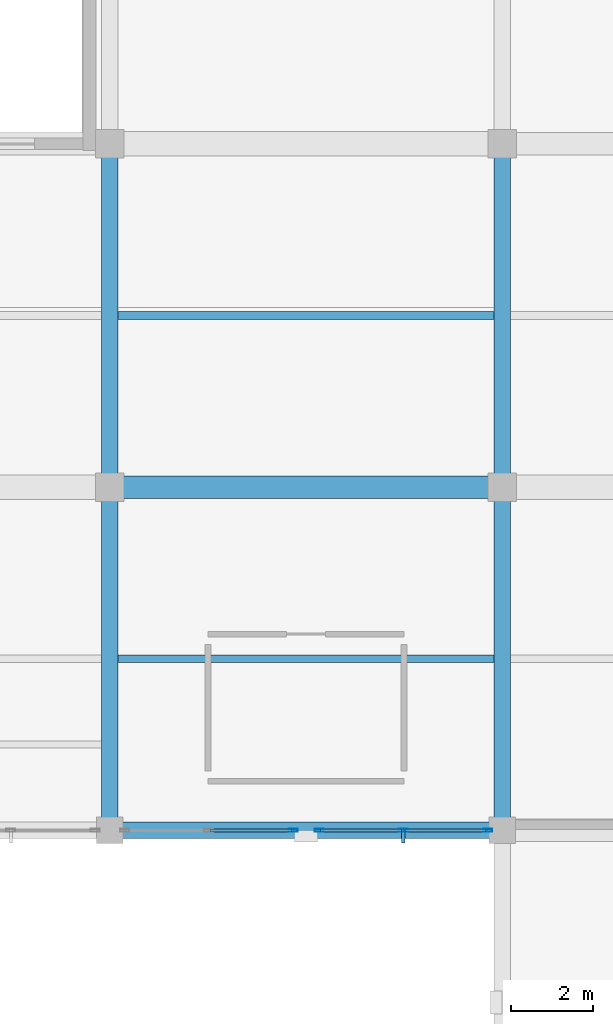
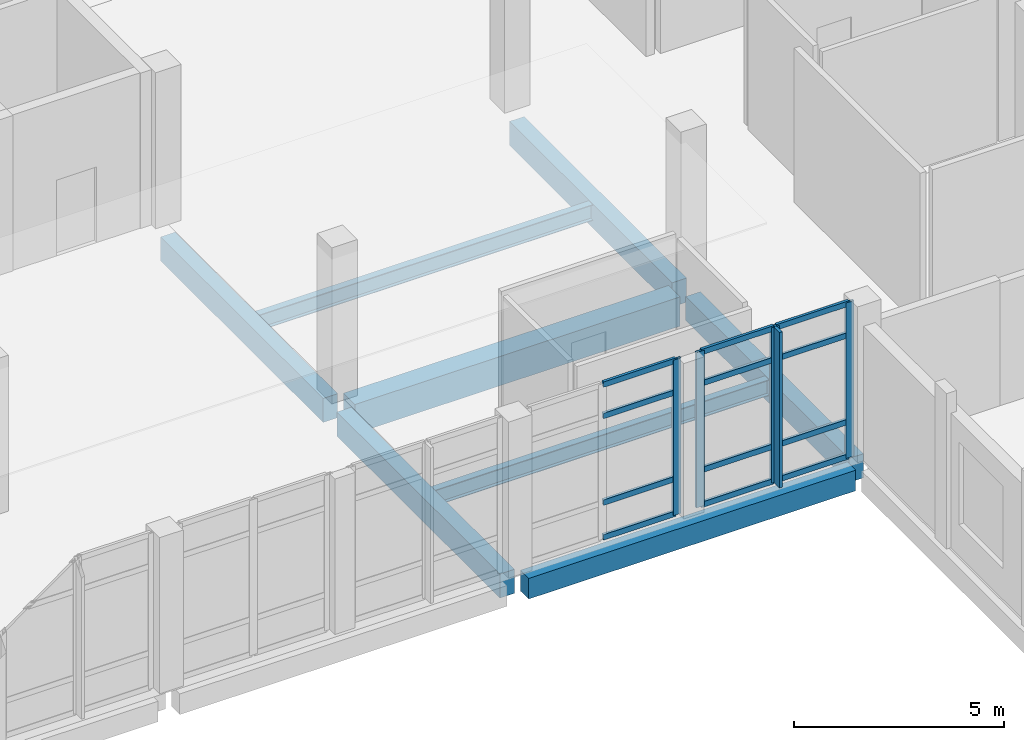
# One storey, part 42 of 102: 17 members, 8 beams, 2 elements without a shape of their own.
"""IFC4 building model written with IfcOpenShell, lengths in metres."""

from ifc_helpers import new_model, si_unit, direction, frame, origin, origin_2d, place, context, subcontext, project, spatial, rectangle, hollow_rectangle, i_section, extrude, material, layer, layer_set, material_profile, profile_set, type_object, element, aggregate, save


model = new_model("IFC4")

# Units and contexts
model_context = context("Model", 3, precision=1e-05, world=origin(), true_north=direction((0.0, 1.0)))
body_context = subcontext(model_context, "Body", "Model", "MODEL_VIEW")
ifc_project = project(units=[si_unit("LENGTHUNIT", "METRE"), si_unit("AREAUNIT", "SQUARE_METRE"), si_unit("VOLUMEUNIT", "CUBIC_METRE"), si_unit("PLANEANGLEUNIT", "RADIAN"), si_unit("MASSUNIT", "GRAM", prefix="KILO")], contexts=[model_context])

# Site, building, storey
site_placement = place(None, origin())
site = spatial("IfcSite", under=ifc_project, at=site_placement, CompositionType="ELEMENT")
building_placement = place(site_placement, origin())
building = spatial("IfcBuilding", under=site, at=building_placement, Name="Lornevale Opera House", CompositionType="ELEMENT")
storey_placement = place(building_placement, frame((0.0, 0.0, 5.39990234375)))
storey = spatial("IfcBuildingStorey", under=building, at=storey_placement, Name="L02", CompositionType="ELEMENT", Elevation=5.39990234375)

# Beams
ifc_material_1 = material(Name="Concrete 35 MPa (CSA A23.1 N)", Category="concrete")
ifc_material_profile_1 = material_profile(ifc_material_1, rectangle(XDim=0.39990234375, YDim=0.699951171875, at=origin_2d()), Name="RC400x700")
ifc_profile_set_1 = profile_set([ifc_material_profile_1], Name="Concrete 35 MPa (CSA A23.1 N)")
beam_type_1 = type_object("IfcBeamType", Name="Concrete Floor Beam 400x700", PredefinedType="USERDEFINED", material=ifc_profile_set_1)
beam_1_placement = place(storey_placement, frame((115.199951171875, 17.10009765625, -0.64990234375), z_axis=(0.0, 1.0, 0.0), x_axis=(-1.0, 0.0, 0.0)))
element("IfcBeam", 1, at=beam_1_placement, inside=storey, type_object=beam_type_1, Name="Concrete Floor Beam 400x700 1928", ObjectType="GIRDER", PredefinedType="USERDEFINED", context=body_context, shape_type="SweptSolid", body=[
    extrude(rectangle(XDim=0.39990234375, YDim=0.699951171875, at=origin_2d()), origin(), (0.0, 0.0, 1.0), 7.77490234375),
])
beam_2_placement = place(storey_placement, frame((115.199951171875, 25.52490234375, -0.64990234375), z_axis=(0.0, 1.0, 0.0), x_axis=(-1.0, 0.0, 0.0)))
element("IfcBeam", 2, at=beam_2_placement, inside=storey, type_object=beam_type_1, Name="Concrete Floor Beam 400x700 1929", ObjectType="GIRDER", PredefinedType="USERDEFINED", context=body_context, shape_type="SweptSolid", body=[
    extrude(rectangle(XDim=0.39990234375, YDim=0.699951171875, at=origin_2d()), origin(), (0.0, 0.0, 1.0), 7.75),
])
beam_3_placement = place(storey_placement, frame((124.800048828125, 17.10009765625, -0.64990234375), z_axis=(0.0, 1.0, 0.0), x_axis=(-1.0, 0.0, 0.0)))
element("IfcBeam", 3, at=beam_3_placement, inside=storey, type_object=beam_type_1, Name="Concrete Floor Beam 400x700 1940", ObjectType="GIRDER", PredefinedType="USERDEFINED", context=body_context, shape_type="SweptSolid", body=[
    extrude(rectangle(XDim=0.39990234375, YDim=0.699951171875, at=origin_2d()), origin(), (0.0, 0.0, 1.0), 7.77490234375),
])
beam_4_placement = place(storey_placement, frame((124.800048828125, 25.52490234375, -0.64990234375), z_axis=(0.0, 1.0, 0.0), x_axis=(-1.0, 0.0, 0.0)))
element("IfcBeam", 4, at=beam_4_placement, inside=storey, type_object=beam_type_1, Name="Concrete Floor Beam 400x700 1941", ObjectType="GIRDER", PredefinedType="USERDEFINED", context=body_context, shape_type="SweptSolid", body=[
    extrude(rectangle(XDim=0.39990234375, YDim=0.699951171875, at=origin_2d()), origin(), (0.0, 0.0, 1.0), 7.75),
])
ifc_material_profile_2 = material_profile(ifc_material_1, rectangle(XDim=0.550048828125, YDim=0.85009765625, at=origin_2d()), Name="RC550x850")
ifc_profile_set_2 = profile_set([ifc_material_profile_2], Name="Concrete 35 MPa (CSA A23.1 N)")
beam_type_2 = type_object("IfcBeamType", Name="Concrete Primary Girder 550x850", PredefinedType="USERDEFINED", material=ifc_profile_set_2)
beam_5_placement = place(storey_placement, frame((115.52490234375, 25.199951171875, -0.724853515625), z_axis=(1.0, 0.0, 0.0), x_axis=(0.0, 1.0, 0.0)))
element("IfcBeam", 5, at=beam_5_placement, inside=storey, type_object=beam_type_2, Name="Concrete Primary Girder 550x850 1704", ObjectType="GIRDER", PredefinedType="USERDEFINED", context=body_context, shape_type="SweptSolid", body=[
    extrude(rectangle(XDim=0.550048828125, YDim=0.85009765625, at=origin_2d()), origin(), (0.0, 0.0, 1.0), 8.9501953125),
])
ifc_material_profile_3 = material_profile(ifc_material_1, rectangle(XDim=0.39990234375, YDim=0.60009765625, at=origin_2d()), Name="RC400x600")
ifc_profile_set_3 = profile_set([ifc_material_profile_3], Name="Concrete 35 MPa (CSA A23.1 N)")
beam_type_3 = type_object("IfcBeamType", Name="Concrete Spandrel Beam 400x600", PredefinedType="SPANDREL", material=ifc_profile_set_3)
beam_6_placement = place(storey_placement, frame((115.5, 16.800048828125, -0.599853515625), z_axis=(1.0, 0.0, 0.0), x_axis=(0.0, 1.0, 0.0)))
element("IfcBeam", 6, at=beam_6_placement, inside=storey, type_object=beam_type_3, Name="Concrete Spandrel Beam 400x600 1690", PredefinedType="SPANDREL", context=body_context, shape_type="SweptSolid", body=[
    extrude(rectangle(XDim=0.39990234375, YDim=0.60009765625, at=origin_2d()), origin(), (0.0, 0.0, 1.0), 9.0),
])

# Curtain wall, members
ifc_material_2 = material(Name="Anodized Oxide-Green Aluminium Framing", Category="aluminium")
ifc_layer = layer(ifc_material_2, 0.219970703125)
ifc_layer_set = layer_set([ifc_layer], Name="Anodized Oxide-Green Aluminium Framing")
curtain_wall_type = type_object("IfcCurtainWallType", Name="Winter-Garden Curtain Wall M1900", PredefinedType="NOTDEFINED", material=ifc_layer_set)
curtain_wall_1_placement = place(storey_placement, origin())
curtain_wall_1 = element("IfcCurtainWall", 7, at=curtain_wall_1_placement, inside=storey, type_object=curtain_wall_type, Name="Winter-Garden Curtain Wall M1900 CW-076", PredefinedType="NOTDEFINED")
ifc_material_profile_4 = material_profile(ifc_material_2, hollow_rectangle(XDim=0.074951171875, YDim=0.219970703125, WallThickness=0.0048828125, at=origin_2d()), Name="ALU75x220x5")
ifc_profile_set_4 = profile_set([ifc_material_profile_4], Name="Anodized Oxide-Green Aluminium Framing")
member_type_1 = type_object("IfcMemberType", Name="Curtain Wall Mullion 75x220", PredefinedType="MULLION", material=ifc_profile_set_4)
member_1_placement = place(storey_placement, frame((124.44140625, 16.800048828125, 0.0), z_axis=(0.0, 0.0, 1.0), x_axis=(0.0, -1.0, 0.0)))
member_1 = element("IfcMember", 8, at=member_1_placement, type_object=member_type_1, Name="Curtain Wall Mullion 75x220 CW1548", PredefinedType="MULLION", context=body_context, shape_type="SweptSolid", body=[
    extrude(hollow_rectangle(XDim=0.074951171875, YDim=0.219970703125, WallThickness=0.0048828125, at=origin_2d()), origin(), (0.0, 0.0, 1.0), 4.52001953125),
])
member_2_placement = place(storey_placement, frame((122.37939453125, 16.800048828125, 0.0), z_axis=(0.0, 0.0, 1.0), x_axis=(0.0, -1.0, 0.0)))
member_2 = element("IfcMember", 9, at=member_2_placement, type_object=member_type_1, Name="Curtain Wall Mullion 75x220 CW1549", PredefinedType="MULLION", context=body_context, shape_type="SweptSolid", body=[
    extrude(hollow_rectangle(XDim=0.074951171875, YDim=0.219970703125, WallThickness=0.0048828125, at=origin_2d()), origin(), (0.0, 0.0, 1.0), 4.52001953125),
])
member_3_placement = place(storey_placement, frame((120.3173828125, 16.800048828125, 0.0), z_axis=(0.0, 0.0, 1.0), x_axis=(0.0, -1.0, 0.0)))
member_3 = element("IfcMember", 10, at=member_3_placement, type_object=member_type_1, Name="Curtain Wall Mullion 75x220 CW1550", PredefinedType="MULLION", context=body_context, shape_type="SweptSolid", body=[
    extrude(hollow_rectangle(XDim=0.074951171875, YDim=0.219970703125, WallThickness=0.0048828125, at=origin_2d()), origin(), (0.0, 0.0, 1.0), 4.52001953125),
])

# Curtain wall, member
curtain_wall_2_placement = place(storey_placement, origin())
curtain_wall_2 = element("IfcCurtainWall", 11, at=curtain_wall_2_placement, inside=storey, type_object=curtain_wall_type, Name="Winter-Garden Curtain Wall M1900 CW-077", PredefinedType="NOTDEFINED")
member_4_placement = place(storey_placement, frame((119.6826171875, 16.800048828125, 0.0), z_axis=(0.0, 0.0, 1.0), x_axis=(0.0, -1.0, 0.0)))
member_4 = element("IfcMember", 12, at=member_4_placement, type_object=member_type_1, Name="Curtain Wall Mullion 75x220 CW1565", PredefinedType="MULLION", context=body_context, shape_type="SweptSolid", body=[
    extrude(hollow_rectangle(XDim=0.074951171875, YDim=0.219970703125, WallThickness=0.0048828125, at=origin_2d()), origin(), (0.0, 0.0, 1.0), 4.52001953125),
])

# Member
ifc_material_profile_5 = material_profile(ifc_material_2, hollow_rectangle(XDim=0.074951171875, YDim=0.159912109375, WallThickness=0.0048828125, at=origin_2d()), Name="ALU75x160x5")
ifc_profile_set_5 = profile_set([ifc_material_profile_5], Name="Anodized Oxide-Green Aluminium Framing")
member_type_2 = type_object("IfcMemberType", Name="Curtain Wall Transom 75x160", PredefinedType="USERDEFINED", material=ifc_profile_set_5)
member_5_placement = place(storey_placement, frame((124.404052734375, 16.800048828125, 0.03759765625), z_axis=(-1.0, 0.0, 0.0), x_axis=(0.0, -1.0, 0.0)))
member_5 = element("IfcMember", 13, at=member_5_placement, type_object=member_type_2, Name="Curtain Wall Transom 75x160 CW1551", ObjectType="TRANSOM", PredefinedType="USERDEFINED", context=body_context, shape_type="SweptSolid", body=[
    extrude(hollow_rectangle(XDim=0.074951171875, YDim=0.159912109375, WallThickness=0.0048828125, at=origin_2d()), origin(), (0.0, 0.0, 1.0), 1.987060546875),
])

member_6_placement = place(storey_placement, frame((124.404052734375, 16.800048828125, 1.050048828125), z_axis=(-1.0, 0.0, 0.0), x_axis=(0.0, -1.0, 0.0)))
member_6 = element("IfcMember", 14, at=member_6_placement, type_object=member_type_2, Name="Curtain Wall Transom 75x160 CW1552", ObjectType="TRANSOM", PredefinedType="USERDEFINED", context=body_context, shape_type="SweptSolid", body=[
    extrude(hollow_rectangle(XDim=0.074951171875, YDim=0.159912109375, WallThickness=0.0048828125, at=origin_2d()), origin(), (0.0, 0.0, 1.0), 1.987060546875),
])

member_7_placement = place(storey_placement, frame((124.404052734375, 16.800048828125, 3.570068359375), z_axis=(-1.0, 0.0, 0.0), x_axis=(0.0, -1.0, 0.0)))
member_7 = element("IfcMember", 15, at=member_7_placement, type_object=member_type_2, Name="Curtain Wall Transom 75x160 CW1553", ObjectType="TRANSOM", PredefinedType="USERDEFINED", context=body_context, shape_type="SweptSolid", body=[
    extrude(hollow_rectangle(XDim=0.074951171875, YDim=0.159912109375, WallThickness=0.0048828125, at=origin_2d()), origin(), (0.0, 0.0, 1.0), 1.987060546875),
])

member_8_placement = place(storey_placement, frame((124.404052734375, 16.800048828125, 4.482666015625), z_axis=(-1.0, 0.0, 0.0), x_axis=(0.0, -1.0, 0.0)))
member_8 = element("IfcMember", 16, at=member_8_placement, type_object=member_type_2, Name="Curtain Wall Transom 75x160 CW1554", ObjectType="TRANSOM", PredefinedType="USERDEFINED", context=body_context, shape_type="SweptSolid", body=[
    extrude(hollow_rectangle(XDim=0.074951171875, YDim=0.159912109375, WallThickness=0.0048828125, at=origin_2d()), origin(), (0.0, 0.0, 1.0), 1.987060546875),
])

member_9_placement = place(storey_placement, frame((122.342041015625, 16.800048828125, 0.03759765625), z_axis=(-1.0, 0.0, 0.0), x_axis=(0.0, -1.0, 0.0)))
member_9 = element("IfcMember", 17, at=member_9_placement, type_object=member_type_2, Name="Curtain Wall Transom 75x160 CW1558", ObjectType="TRANSOM", PredefinedType="USERDEFINED", context=body_context, shape_type="SweptSolid", body=[
    extrude(hollow_rectangle(XDim=0.074951171875, YDim=0.159912109375, WallThickness=0.0048828125, at=origin_2d()), origin(), (0.0, 0.0, 1.0), 1.987060546875),
])

member_10_placement = place(storey_placement, frame((122.342041015625, 16.800048828125, 1.050048828125), z_axis=(-1.0, 0.0, 0.0), x_axis=(0.0, -1.0, 0.0)))
member_10 = element("IfcMember", 18, at=member_10_placement, type_object=member_type_2, Name="Curtain Wall Transom 75x160 CW1559", ObjectType="TRANSOM", PredefinedType="USERDEFINED", context=body_context, shape_type="SweptSolid", body=[
    extrude(hollow_rectangle(XDim=0.074951171875, YDim=0.159912109375, WallThickness=0.0048828125, at=origin_2d()), origin(), (0.0, 0.0, 1.0), 1.987060546875),
])

member_11_placement = place(storey_placement, frame((122.342041015625, 16.800048828125, 3.570068359375), z_axis=(-1.0, 0.0, 0.0), x_axis=(0.0, -1.0, 0.0)))
member_11 = element("IfcMember", 19, at=member_11_placement, type_object=member_type_2, Name="Curtain Wall Transom 75x160 CW1560", ObjectType="TRANSOM", PredefinedType="USERDEFINED", context=body_context, shape_type="SweptSolid", body=[
    extrude(hollow_rectangle(XDim=0.074951171875, YDim=0.159912109375, WallThickness=0.0048828125, at=origin_2d()), origin(), (0.0, 0.0, 1.0), 1.987060546875),
])

member_12_placement = place(storey_placement, frame((122.342041015625, 16.800048828125, 4.482666015625), z_axis=(-1.0, 0.0, 0.0), x_axis=(0.0, -1.0, 0.0)))
member_12 = element("IfcMember", 20, at=member_12_placement, type_object=member_type_2, Name="Curtain Wall Transom 75x160 CW1561", ObjectType="TRANSOM", PredefinedType="USERDEFINED", context=body_context, shape_type="SweptSolid", body=[
    extrude(hollow_rectangle(XDim=0.074951171875, YDim=0.159912109375, WallThickness=0.0048828125, at=origin_2d()), origin(), (0.0, 0.0, 1.0), 1.987060546875),
])

member_13_placement = place(storey_placement, frame((119.64501953125, 16.800048828125, 0.03759765625), z_axis=(-1.0, 0.0, 0.0), x_axis=(0.0, -1.0, 0.0)))
member_13 = element("IfcMember", 21, at=member_13_placement, type_object=member_type_2, Name="Curtain Wall Transom 75x160 CW1568", ObjectType="TRANSOM", PredefinedType="USERDEFINED", context=body_context, shape_type="SweptSolid", body=[
    extrude(hollow_rectangle(XDim=0.074951171875, YDim=0.159912109375, WallThickness=0.0048828125, at=origin_2d()), origin(), (0.0, 0.0, 1.0), 1.987060546875),
])

member_14_placement = place(storey_placement, frame((119.64501953125, 16.800048828125, 1.050048828125), z_axis=(-1.0, 0.0, 0.0), x_axis=(0.0, -1.0, 0.0)))
member_14 = element("IfcMember", 22, at=member_14_placement, type_object=member_type_2, Name="Curtain Wall Transom 75x160 CW1569", ObjectType="TRANSOM", PredefinedType="USERDEFINED", context=body_context, shape_type="SweptSolid", body=[
    extrude(hollow_rectangle(XDim=0.074951171875, YDim=0.159912109375, WallThickness=0.0048828125, at=origin_2d()), origin(), (0.0, 0.0, 1.0), 1.987060546875),
])

member_15_placement = place(storey_placement, frame((119.64501953125, 16.800048828125, 3.570068359375), z_axis=(-1.0, 0.0, 0.0), x_axis=(0.0, -1.0, 0.0)))
member_15 = element("IfcMember", 23, at=member_15_placement, type_object=member_type_2, Name="Curtain Wall Transom 75x160 CW1570", ObjectType="TRANSOM", PredefinedType="USERDEFINED", context=body_context, shape_type="SweptSolid", body=[
    extrude(hollow_rectangle(XDim=0.074951171875, YDim=0.159912109375, WallThickness=0.0048828125, at=origin_2d()), origin(), (0.0, 0.0, 1.0), 1.987060546875),
])

member_16_placement = place(storey_placement, frame((119.64501953125, 16.800048828125, 4.482666015625), z_axis=(-1.0, 0.0, 0.0), x_axis=(0.0, -1.0, 0.0)))
member_16 = element("IfcMember", 24, at=member_16_placement, type_object=member_type_2, Name="Curtain Wall Transom 75x160 CW1571", ObjectType="TRANSOM", PredefinedType="USERDEFINED", context=body_context, shape_type="SweptSolid", body=[
    extrude(hollow_rectangle(XDim=0.074951171875, YDim=0.159912109375, WallThickness=0.0048828125, at=origin_2d()), origin(), (0.0, 0.0, 1.0), 1.987060546875),
])

aggregate(curtain_wall_2, [member_4, member_13, member_14, member_15, member_16])

ifc_material_3 = material(Name="Architectural Bronze Solar Louvre Alloy", Category="metal")
ifc_material_profile_6 = material_profile(ifc_material_3, rectangle(XDim=0.080078125, YDim=0.360107421875, at=origin_2d()), Name="FIN80x360")
ifc_profile_set_6 = profile_set([ifc_material_profile_6], Name="Architectural Bronze Solar Louvre Alloy")
member_type_3 = type_object("IfcMemberType", Name="Solar Shading Fin 80x360", PredefinedType="USERDEFINED", material=ifc_profile_set_6)
member_17_placement = place(storey_placement, frame((122.37939453125, 16.674072265625, 0.0), z_axis=(0.0, 0.0, 1.0), x_axis=(-1.0, 0.0, 0.0)))
member_17 = element("IfcMember", 25, at=member_17_placement, type_object=member_type_3, Name="Solar Shading Fin 80x360 FIN0033", ObjectType="SOLAR FIN", PredefinedType="USERDEFINED", context=body_context, shape_type="SweptSolid", body=[
    extrude(rectangle(XDim=0.080078125, YDim=0.360107421875, at=origin_2d()), origin(), (0.0, 0.0, 1.0), 4.52001953125),
])

aggregate(curtain_wall_1, [member_1, member_2, member_3, member_5, member_6, member_7, member_8, member_9, member_10, member_11, member_12, member_17])

# Beams
ifc_material_4 = material(Name="Structural Steel CSA G40.21 Grade 350W (350 MPa)", Category="steel")
ifc_material_profile_7 = material_profile(ifc_material_4, i_section(OverallWidth=0.19189453125, OverallDepth=0.462890625, WebThickness=0.010498046875, FlangeThickness=0.017578125, at=origin_2d()), Name="W460x89")
ifc_profile_set_7 = profile_set([ifc_material_profile_7], Name="Structural Steel CSA G40.21 Grade 350W (350 MPa)")
beam_type_4 = type_object("IfcBeamType", Name="Steel Floor Joist W460x89", PredefinedType="JOIST", material=ifc_profile_set_7)
for number, where, z_axis, x_axis, name in (
    (26, (115.39990234375, 21.0, -0.54638671875), (1.0, 0.0, 0.0), (0.0, 1.0, 0.0), "Steel Floor Joist W460x89 2049"),
    (27, (115.39990234375, 29.39990234375, -0.54638671875), (1.0, 0.0, 0.0), (0.0, 1.0, 0.0), "Steel Floor Joist W460x89 2050"),
):
    element("IfcBeam", number, at=place(storey_placement, frame(where, z_axis=z_axis, x_axis=x_axis)), inside=storey, type_object=beam_type_4, Name=name, PredefinedType="JOIST", context=body_context, shape_type="SweptSolid", body=[
        extrude(i_section(OverallWidth=0.19189453125, OverallDepth=0.462890625, WebThickness=0.010498046875, FlangeThickness=0.017578125, at=origin_2d()), origin(), (0.0, 0.0, 1.0), 9.2001953125),
    ])

save(model, "model.ifc")
